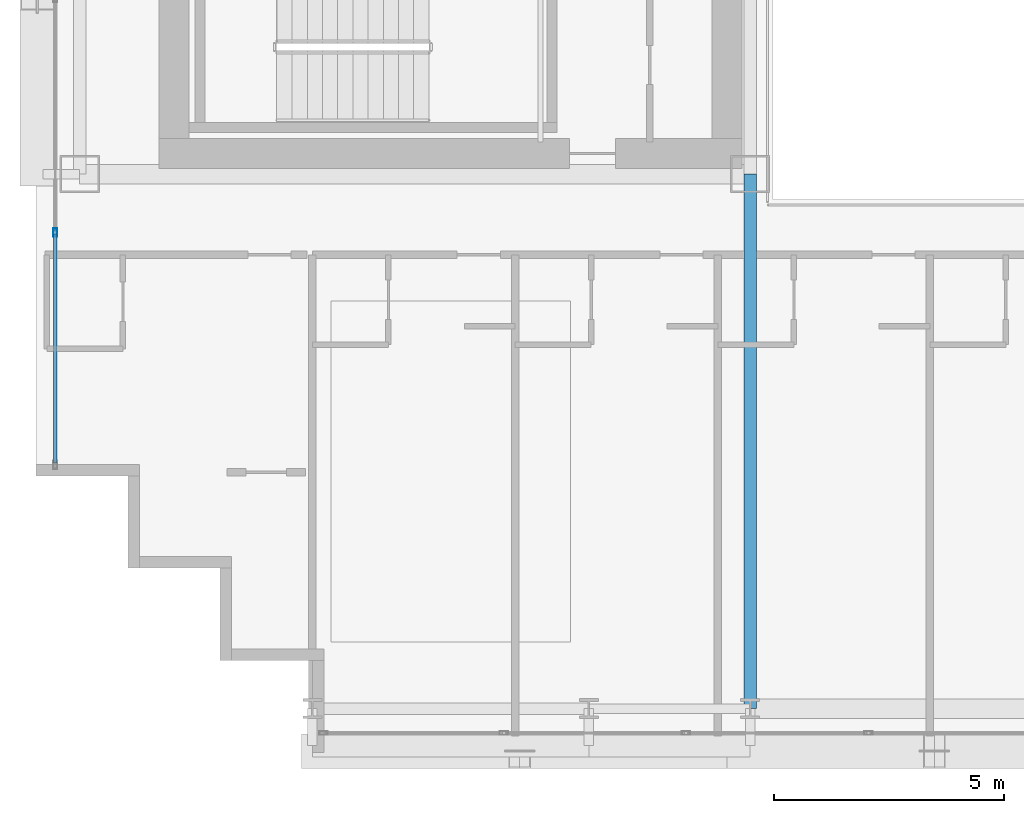
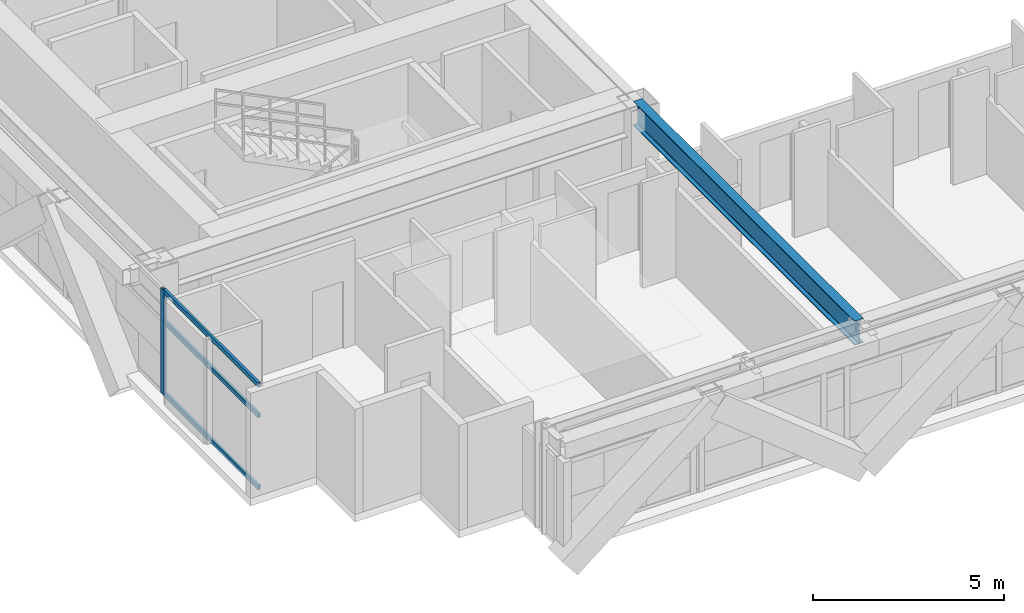
# One storey, part 3 of 36: 4 members, 1 beam, 1 element without a shape of its own.
"""IFC4 building model written with IfcOpenShell, lengths in metres."""

from ifc_helpers import new_model, si_unit, direction, frame, origin, origin_2d, place, context, subcontext, project, spatial, hollow_rectangle, i_section, extrude, source, transform, mapped, material, layer, layer_set, material_profile, profile_set, type_object, element, aggregate, save


model = new_model("IFC4")

# Units and contexts
model_context = context("Model", 3, precision=1e-05, world=origin(), true_north=direction((0.0, 1.0)))
body_context = subcontext(model_context, "Body", "Model", "MODEL_VIEW")
ifc_project = project(units=[si_unit("LENGTHUNIT", "METRE"), si_unit("AREAUNIT", "SQUARE_METRE"), si_unit("VOLUMEUNIT", "CUBIC_METRE"), si_unit("PLANEANGLEUNIT", "RADIAN"), si_unit("MASSUNIT", "GRAM", prefix="KILO")], contexts=[model_context])

# Site, building, storey
site_placement = place(None, origin())
site = spatial("IfcSite", under=ifc_project, at=site_placement, CompositionType="ELEMENT")
building_placement = place(site_placement, origin())
building = spatial("IfcBuilding", under=site, at=building_placement, Name="Ocotamira Hotel", CompositionType="ELEMENT")
storey_placement = place(building_placement, frame((0.0, 0.0, 97.199951171875)))
storey = spatial("IfcBuildingStorey", under=building, at=storey_placement, Name="L23", CompositionType="ELEMENT", Elevation=97.199951171875)

# Beam
ifc_material_1 = material(Name="Steel ASTM A992 Grade 50", Category="steel")
ifc_material_profile_1 = material_profile(ifc_material_1, i_section(OverallWidth=0.26611328125, OverallDepth=0.779052734375, WebThickness=0.0166015625, FlangeThickness=0.030029296875, FilletRadius=0.01806640625, at=origin_2d()), Name="W30X148")
ifc_profile_set_1 = profile_set([ifc_material_profile_1], Name="Steel ASTM A992 Grade 50")
beam_type = type_object("IfcBeamType", Name="BM-GIRD-W30X148", PredefinedType="BEAM", material=ifc_profile_set_1)
shared_shape_1 = source(origin(), body_context, "Body", "SweptSolid", [
    extrude(i_section(OverallWidth=0.26611328125, OverallDepth=0.779052734375, WebThickness=0.0166015625, FlangeThickness=0.030029296875, FilletRadius=0.01806640625, at=origin_2d()), origin(), (0.0, 0.0, 1.0), 11.60009765625),
])
beam_placement = place(storey_placement, frame((23.5, 2.949951171875, 2.970458984375), z_axis=(0.0, 1.0, 0.0), x_axis=(-1.0, 0.0, 0.0)))
element("IfcBeam", 1, at=beam_placement, inside=storey, type_object=beam_type, Name="L23 Beam X23.5 Y2.95-14.55", PredefinedType="BEAM", context=body_context, shape_type="MappedRepresentation", body=[
    mapped(shared_shape_1, transform((0.0, 0.0, 0.0), scale=1.0)),
])

# Curtain wall, members
ifc_material_2 = material(Name="Anodised pale-metal aluminium and solar glass", Category="aluminium")
ifc_layer = layer(ifc_material_2, 0.179931640625)
ifc_layer_set = layer_set([ifc_layer], Name="Anodised pale-metal aluminium and solar glass")
curtain_wall_type = type_object("IfcCurtainWallType", Name="CW-SYS3-Z2", PredefinedType="NOTDEFINED", material=ifc_layer_set)
curtain_wall_placement = place(storey_placement, origin())
curtain_wall = element("IfcCurtainWall", 2, at=curtain_wall_placement, inside=storey, type_object=curtain_wall_type, Name="L23 Curtain Wall CW-3 CW-L23-W", PredefinedType="NOTDEFINED")
ifc_material_3 = material(Name="Anodised pale-metal aluminium 6063-T6", Category="aluminium")
ifc_material_profile_2 = material_profile(ifc_material_3, hollow_rectangle(XDim=0.074951171875, YDim=0.14990234375, WallThickness=0.006103515625, at=origin_2d()), Name="HSS150X75X6")
ifc_profile_set_2 = profile_set([ifc_material_profile_2], Name="Anodised pale-metal aluminium 6063-T6")
member_type_1 = type_object("IfcMemberType", Name="CWT-150X75", PredefinedType="USERDEFINED", material=ifc_profile_set_2)
shared_shape_2 = source(origin(), body_context, "Body", "SweptSolid", [
    extrude(hollow_rectangle(XDim=0.074951171875, YDim=0.14990234375, WallThickness=0.006103515625, at=origin_2d()), origin(), (0.0, 0.0, 1.0), 4.965576171875),
])
member_1_placement = place(storey_placement, frame((8.419921875, 8.280029296875, 0.03759765625), z_axis=(0.0, 1.0, 0.0), x_axis=(-1.0, 0.0, 0.0)))
member_1 = element("IfcMember", 3, at=member_1_placement, type_object=member_type_1, Name="CW-3 transom 1.1", ObjectType="TRANSOM", PredefinedType="USERDEFINED", context=body_context, shape_type="MappedRepresentation", body=[
    mapped(shared_shape_2, transform((0.0, 0.0, 0.0), scale=1.0)),
])
member_2_placement = place(storey_placement, frame((8.419921875, 8.280029296875, 2.35009765625), z_axis=(0.0, 1.0, 0.0), x_axis=(-1.0, 0.0, 0.0)))
member_2 = element("IfcMember", 4, at=member_2_placement, type_object=member_type_1, Name="CW-3 transom 1.2", ObjectType="TRANSOM", PredefinedType="USERDEFINED", context=body_context, shape_type="MappedRepresentation", body=[
    mapped(shared_shape_2, transform((0.0, 0.0, 0.0), scale=1.0)),
])
member_3_placement = place(storey_placement, frame((8.419921875, 8.280029296875, 3.322509765625), z_axis=(0.0, 1.0, 0.0), x_axis=(-1.0, 0.0, 0.0)))
member_3 = element("IfcMember", 5, at=member_3_placement, type_object=member_type_1, Name="CW-3 transom 1.3", ObjectType="TRANSOM", PredefinedType="USERDEFINED", context=body_context, shape_type="MappedRepresentation", body=[
    mapped(shared_shape_2, transform((0.0, 0.0, 0.0), scale=1.0)),
])
ifc_material_profile_3 = material_profile(ifc_material_3, hollow_rectangle(XDim=0.080078125, YDim=0.179931640625, WallThickness=0.006103515625, at=origin_2d()), Name="HSS180X80X6")
ifc_profile_set_3 = profile_set([ifc_material_profile_3], Name="Anodised pale-metal aluminium 6063-T6")
member_type_2 = type_object("IfcMemberType", Name="CWM-180X75", PredefinedType="MULLION", material=ifc_profile_set_3)
shared_shape_3 = source(origin(), body_context, "Body", "SweptSolid", [
    extrude(hollow_rectangle(XDim=0.080078125, YDim=0.179931640625, WallThickness=0.006103515625, at=origin_2d()), origin(), (0.0, 0.0, 1.0), 3.360107421875),
])
member_4_placement = place(storey_placement, frame((8.419921875, 13.28564453125, 0.0), z_axis=(0.0, 0.0, 1.0), x_axis=(-1.0, 0.0, 0.0)))
member_4 = element("IfcMember", 6, at=member_4_placement, type_object=member_type_2, Name="CW-3 mullion 2", PredefinedType="MULLION", context=body_context, shape_type="MappedRepresentation", body=[
    mapped(shared_shape_3, transform((0.0, 0.0, 0.0), scale=1.0)),
])
aggregate(curtain_wall, [member_4, member_1, member_2, member_3])

save(model, "model.ifc")
